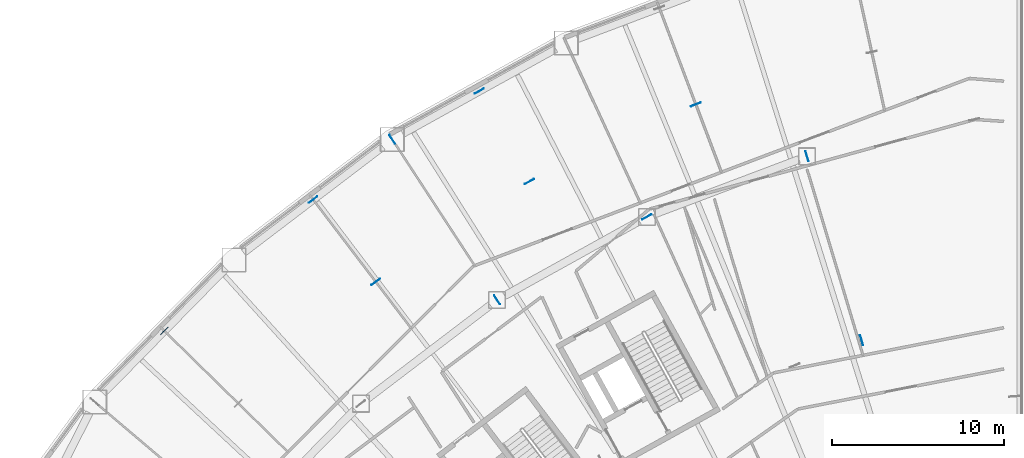
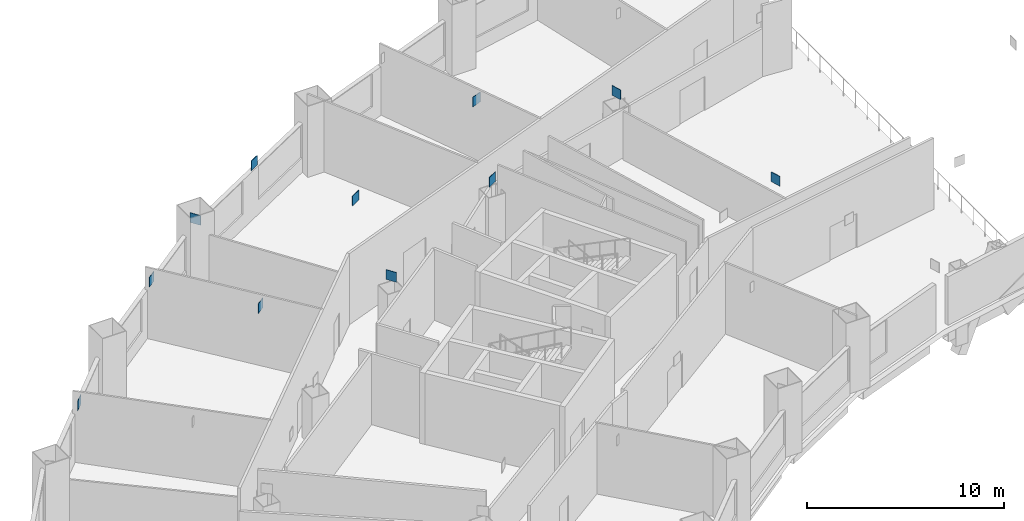
# One storey, part 17 of 24: 11 discrete accessories.
"""IFC4 building model written with IfcOpenShell, lengths in metres."""

from ifc_helpers import new_model, si_unit, direction, frame, origin, origin_2d, place, context, subcontext, project, spatial, rectangle, extrude, material, type_object, element, save


model = new_model("IFC4")

# Units and contexts
model_context = context("Model", 3, precision=1e-05, world=origin(), true_north=direction((0.0, 1.0)))
body_context = subcontext(model_context, "Body", "Model", "MODEL_VIEW")
ifc_project = project(units=[si_unit("LENGTHUNIT", "METRE"), si_unit("AREAUNIT", "SQUARE_METRE"), si_unit("VOLUMEUNIT", "CUBIC_METRE"), si_unit("PLANEANGLEUNIT", "RADIAN"), si_unit("MASSUNIT", "GRAM", prefix="KILO")], contexts=[model_context])

# Site, building, storey
site_placement = place(None, origin())
site = spatial("IfcSite", under=ifc_project, at=site_placement, CompositionType="ELEMENT")
building_placement = place(site_placement, origin())
building = spatial("IfcBuilding", under=site, at=building_placement, Name="Tuul Gate Civic Tower", CompositionType="ELEMENT")
storey_placement = place(building_placement, frame((0.0, 0.0, 21.89990234375)))
storey = spatial("IfcBuildingStorey", under=building, at=storey_placement, Name="Level 04", CompositionType="ELEMENT", Elevation=21.89990234375)

# Discrete accessories
ifc_material = material(Name="Steel S355", Category="steel")
discrete_accessory_type = type_object("IfcDiscreteAccessoryType", Name="Gusset plate", PredefinedType="BRACKET", material=ifc_material)
for number, where, z_axis, x_axis, name in (
    (1, (-19.6181640625, 5.927978515625, 3.396728515625), (0.0, 0.0, 1.0), (-0.28519561857, 0.958469331355, 0.0), "Gusset plate"),
    (2, (-37.606689453125, -2.405517578125, 3.396728515625), (0.0, 0.0, 1.0), (-0.546705342807, 0.837325067191, 0.0), "Gusset plate"),
    (3, (-16.444091796875, -4.739013671875, 3.396728515625), (0.0, 0.0, 1.0), (-0.28519561857, 0.958469331355, 0.0), "Gusset plate"),
    (4, (-56.91943359375, -4.205078125, 3.396728515625), (0.0, 0.0, 1.0), (0.700013398821, 0.714129709136, 0.0), "Gusset plate"),
    (5, (-48.284423828125, 3.41552734375, 3.396728515625), (0.0, 0.0, 1.0), (0.795624520184, 0.605790081532, 0.0), "Gusset plate"),
    (6, (-38.6416015625, 9.7119140625, 3.396728515625), (0.0, 0.0, 1.0), (0.874618497139, 0.484811803139, 0.0), "Gusset plate"),
    (7, (-44.64990234375, -1.35791015625, 3.396728515625), (0.0, 0.0, 1.0), (0.795663839612, 0.605738437227, 0.0), "Gusset plate"),
    (8, (-26.070556640625, 8.9404296875, 3.396728515625), (0.0, 0.0, 1.0), (0.935344056956, 0.35373930389, 0.0), "Gusset plate"),
    (9, (-35.73291015625, 4.464111328125, 3.396728515625), (0.0, 0.0, 1.0), (0.87462518169, 0.484799743765, 0.0), "Gusset plate"),
    (10, (-28.9140625, 2.413330078125, 3.396484375), (0.0, 0.0, 1.0), (-0.874609350034, -0.484828304488, 0.0), "Gusset plate"),
    (11, (-43.693115234375, 6.916259765625, 3.39697265625), (0.0, 0.0, 1.0), (0.546705342807, -0.837325067191, 0.0), "Gusset plate"),
):
    element("IfcDiscreteAccessory", number, at=place(storey_placement, frame(where, z_axis=z_axis, x_axis=x_axis)), inside=storey, type_object=discrete_accessory_type, Name=name, PredefinedType="BRACKET", context=body_context, shape_type="SweptSolid", body=[
        extrude(rectangle(XDim=0.60009765625, YDim=0.030029296875, at=origin_2d()), origin(), (0.0, 0.0, 1.0), 0.60009765625),
    ])

save(model, "model.ifc")
